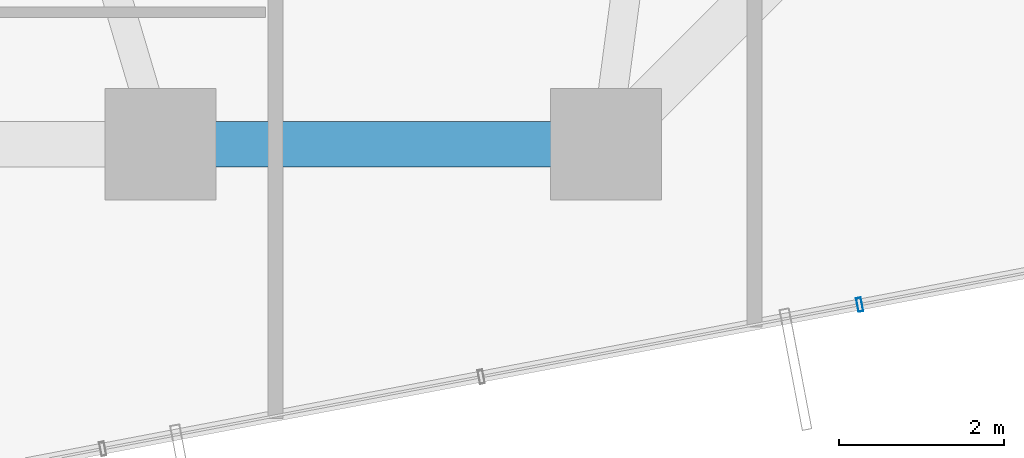
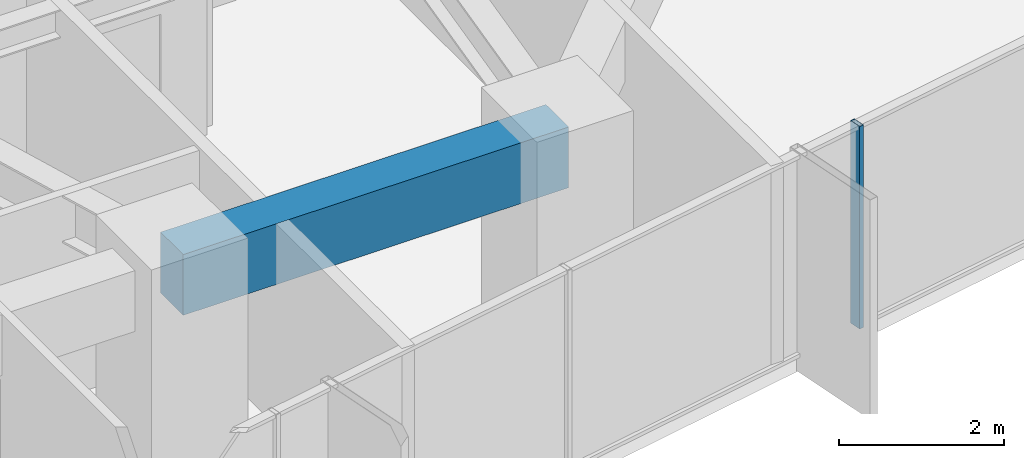
# One storey, part 8 of 38: 1 beam, 1 member, 1 element without a shape of its own.
"""IFC4 building model written with IfcOpenShell, lengths in metres."""

from ifc_helpers import new_model, si_unit, direction, frame, origin, origin_2d, place, context, subcontext, project, spatial, rectangle, hollow_rectangle, extrude, source, transform, mapped, material, layer, layer_set, material_profile, profile_set, type_object, element, aggregate, save


model = new_model("IFC4")

# Units and contexts
model_context = context("Model", 3, precision=1e-05, world=origin(), true_north=direction((0.0, 1.0)))
body_context = subcontext(model_context, "Body", "Model", "MODEL_VIEW")
ifc_project = project(units=[si_unit("LENGTHUNIT", "METRE"), si_unit("AREAUNIT", "SQUARE_METRE"), si_unit("VOLUMEUNIT", "CUBIC_METRE"), si_unit("PLANEANGLEUNIT", "RADIAN"), si_unit("MASSUNIT", "GRAM", prefix="KILO")], contexts=[model_context])

# Site, building, storey
site_placement = place(None, origin())
site = spatial("IfcSite", under=ifc_project, at=site_placement, CompositionType="ELEMENT")
building_placement = place(site_placement, origin())
building = spatial("IfcBuilding", under=site, at=building_placement, Name="Veraguas Prism Commons", CompositionType="ELEMENT")
storey_placement = place(building_placement, frame((0.0, 0.0, 60.85009765625)))
storey = spatial("IfcBuildingStorey", under=building, at=storey_placement, Name="L16", CompositionType="ELEMENT", Elevation=60.85009765625)

# Beam
ifc_material_1 = material(Name="Concrete C50/60", Category="concrete")
ifc_material_profile_1 = material_profile(ifc_material_1, rectangle(XDim=0.550048828125, YDim=0.89990234375, at=origin_2d()), Name="RC550X900")
ifc_profile_set_1 = profile_set([ifc_material_profile_1], Name="Concrete C50/60")
beam_type = type_object("IfcBeamType", Name="Perimeter Spandrel Lower RC 550x900", PredefinedType="SPANDREL", material=ifc_profile_set_1)
beam_placement = place(storey_placement, frame((24.0, 6.39990234375, 2.5498046875), z_axis=(1.0, 0.0, 0.0), x_axis=(0.0, 1.0, 0.0)))
element("IfcBeam", 1, at=beam_placement, inside=storey, type_object=beam_type, Name="Perimeter Spandrel Beam L16-SP11", PredefinedType="SPANDREL", context=body_context, shape_type="SweptSolid", body=[
    extrude(rectangle(XDim=0.550048828125, YDim=0.89990234375, at=origin_2d()), origin(), (0.0, 0.0, 1.0), 5.39990234375),
])

# Curtain wall, member
ifc_material_2 = material(Name="Anodised aluminium EN AW-6063 T6", Category="aluminium")
ifc_layer = layer(ifc_material_2, 0.169921875, Name="Unitised Flush Curtain Wall Zone 1", Category="aluminium")
ifc_layer_set = layer_set([ifc_layer], Name="Anodised aluminium EN AW-6063 T6")
curtain_wall_type = type_object("IfcCurtainWallType", Name="Unitised Flush Curtain Wall Zone 1", PredefinedType="NOTDEFINED", material=ifc_layer_set)
curtain_wall_placement = place(storey_placement, origin())
curtain_wall = element("IfcCurtainWall", 2, at=curtain_wall_placement, inside=storey, type_object=curtain_wall_type, Name="Tower Facade Curtain Wall L16-F5", PredefinedType="NOTDEFINED")
ifc_material_profile_2 = material_profile(ifc_material_2, hollow_rectangle(XDim=0.06005859375, YDim=0.169921875, WallThickness=0.00390625, at=origin_2d()), Name="AL60X170X4")
ifc_profile_set_2 = profile_set([ifc_material_profile_2], Name="Anodised aluminium EN AW-6063 T6")
member_type = type_object("IfcMemberType", Name="Curtain Wall Mullion Lower AL 60x170x4", PredefinedType="MULLION", material=ifc_profile_set_2)
shared_shape = source(origin(), body_context, "Body", "SweptSolid", [
    extrude(hollow_rectangle(XDim=0.06005859375, YDim=0.169921875, WallThickness=0.00390625, at=origin_2d()), origin(), (0.0, 0.0, 1.0), 3.0),
])
member_placement = place(storey_placement, frame((32.47607421875, 4.455810546875, 0.0), z_axis=(0.0, 0.0, 1.0), x_axis=(0.982352599301, 0.187038420242, 0.0)))
member = element("IfcMember", 3, at=member_placement, type_object=member_type, Name="CW-Z1 Mullion 4", PredefinedType="MULLION", context=body_context, shape_type="MappedRepresentation", body=[
    mapped(shared_shape, transform((0.0, 0.0, 0.0), scale=1.0)),
])
aggregate(curtain_wall, [member])

save(model, "model.ifc")
